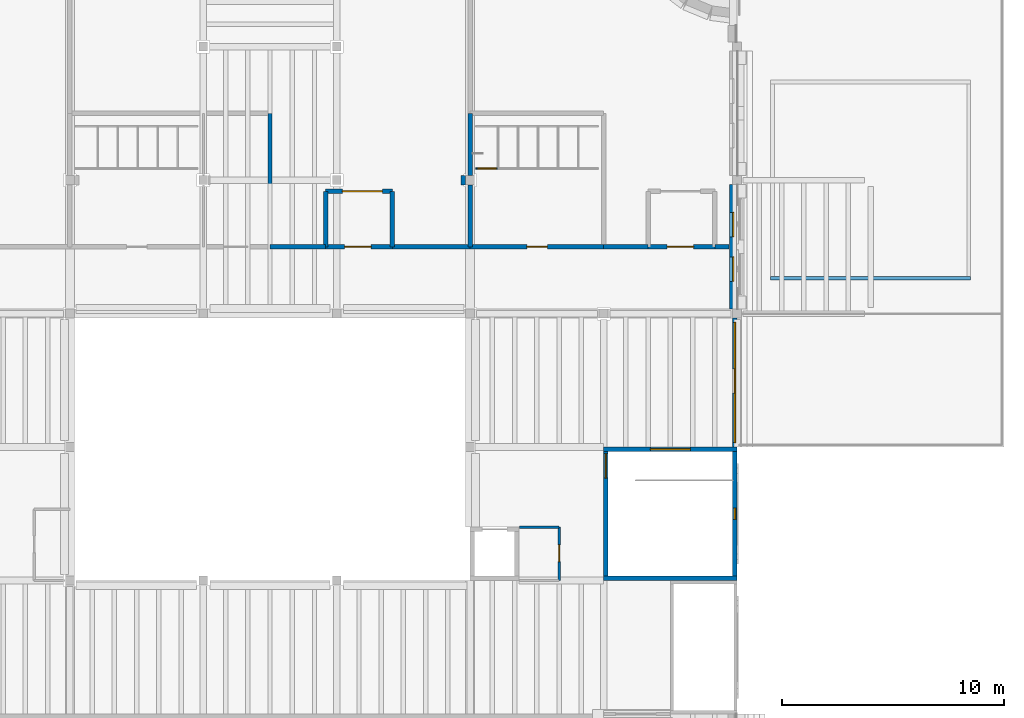
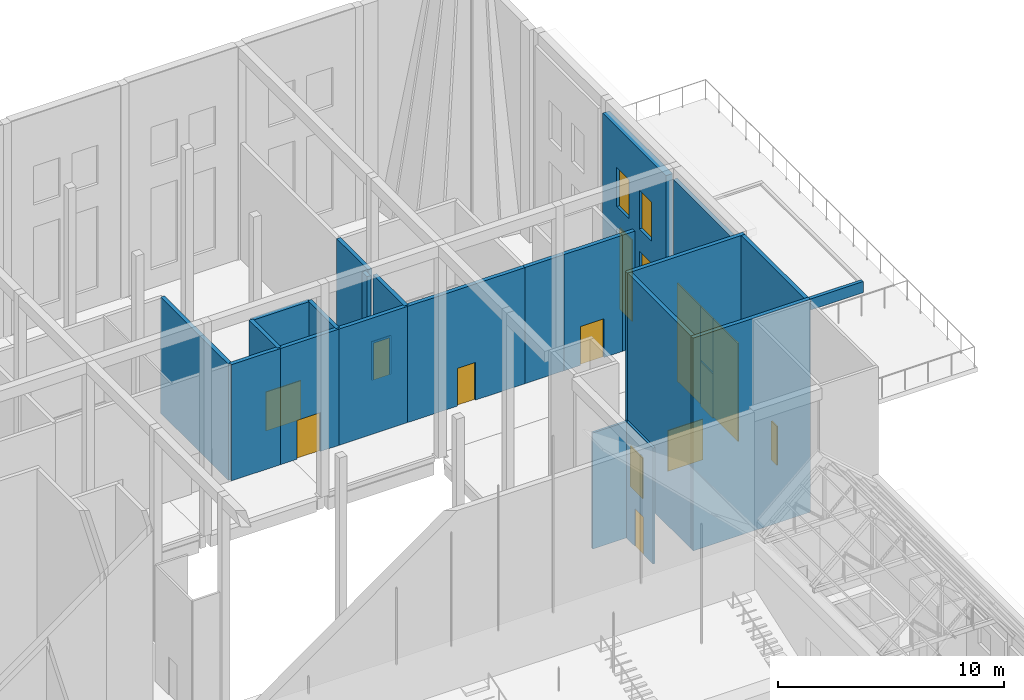
# One storey, part 67 of 118: 24 walls, 9 doors, 8 windows, 17 openings.
"""IFC4 building model written with IfcOpenShell, lengths in metres."""

from ifc_helpers import new_model, si_unit, direction, frame, frame_2d, origin, place, context, subcontext, project, spatial, rectangle, extrude, material, layer, layer_set, type_object, element, fill, save


model = new_model("IFC4")

# Units and contexts
model_context = context("Model", 3, precision=1e-05, world=origin(), true_north=direction((0.0, 1.0)))
body_context = subcontext(model_context, "Body", "Model", "MODEL_VIEW")
ifc_project = project(units=[si_unit("LENGTHUNIT", "METRE"), si_unit("AREAUNIT", "SQUARE_METRE"), si_unit("VOLUMEUNIT", "CUBIC_METRE"), si_unit("PLANEANGLEUNIT", "RADIAN"), si_unit("MASSUNIT", "GRAM", prefix="KILO")], contexts=[model_context])

# Site, building, storey
site_placement = place(None, origin())
site = spatial("IfcSite", under=ifc_project, at=site_placement, CompositionType="ELEMENT")
building_placement = place(site_placement, origin())
building = spatial("IfcBuilding", under=site, at=building_placement, Name="Saffron Lane Theatres", CompositionType="ELEMENT")
storey_placement = place(building_placement, frame((0.0, 0.0, 16.5)))
storey = spatial("IfcBuildingStorey", under=building, at=storey_placement, Name="L03", CompositionType="ELEMENT", Elevation=16.5)

# Wall, openings, door, windows
ifc_material_1 = material(Name="Aluminium", Category="aluminium")
ifc_layer_1 = layer(ifc_material_1, 0.199951171875)
ifc_layer_set_1 = layer_set([ifc_layer_1], Name="Aluminium")
wall_type_1 = type_object("IfcWallType", Name="EX-SCREEN ALUMINIUM 200", PredefinedType="SOLIDWALL", material=ifc_layer_set_1)
wall_1_placement = place(storey_placement, frame((53.89990234375, 107.800048828125, 0.0), z_axis=(0.0, 0.0, 1.0), x_axis=(0.0, -1.0, 0.0)))
wall_1 = element("IfcWall", 1, at=wall_1_placement, inside=storey, type_object=wall_type_1, Name="External wall L03 14", PredefinedType="SOLIDWALL", context=body_context, shape_type="SweptSolid", body=[
    extrude(rectangle(XDim=5.800048828125, YDim=0.199951171875, at=frame_2d((2.89990234375, 0.0))), origin(), (0.0, 0.0, 1.0), 10.89990234375),
])
opening_1_placement = place(wall_1_placement, frame((2.280029296875, 0.0, 0.0)))
opening_1 = element("IfcOpeningElement", 2, at=opening_1_placement, cuts=wall_1, Name="Opening ED03-01", PredefinedType="OPENING", context=body_context, shape_type="SweptSolid", body=[
    extrude(rectangle(XDim=1.10009765625, YDim=2.39990234375, at=frame_2d((0.550048828125, 1.199951171875))), frame((0.0, 0.10986328125, 0.0), z_axis=(0.0, -1.0, 0.0), x_axis=(1.0, 0.0, 0.0)), (0.0, 0.0, 1.0), 0.219970703125),
])
opening_2_placement = place(wall_1_placement, frame((2.280029296875, 0.0, 2.5)))
opening_2 = element("IfcOpeningElement", 3, at=opening_2_placement, cuts=wall_1, Name="Opening WN03-029", PredefinedType="OPENING", context=body_context, shape_type="SweptSolid", body=[
    extrude(rectangle(XDim=1.10009765625, YDim=2.89990234375, at=frame_2d((0.550048828125, 1.449951171875))), frame((0.0, 0.10986328125, 0.0), z_axis=(0.0, -1.0, 0.0), x_axis=(1.0, 0.0, 0.0)), (0.0, 0.0, 1.0), 0.219970703125),
])
opening_3_placement = place(wall_1_placement, frame((0.199951171875, 0.0, 0.10009765625)))
opening_3 = element("IfcOpeningElement", 4, at=opening_3_placement, cuts=wall_1, Name="Opening WN03-030", PredefinedType="OPENING", context=body_context, shape_type="SweptSolid", body=[
    extrude(rectangle(XDim=2.080078125, YDim=5.300048828125, at=frame_2d((1.0400390625, 2.64990234375))), frame((0.0, 0.10986328125, 0.0), z_axis=(0.0, -1.0, 0.0), x_axis=(1.0, 0.0, 0.0)), (0.0, 0.0, 1.0), 0.219970703125),
])
opening_4_placement = place(wall_1_placement, frame((3.3798828125, 0.0, 0.10009765625)))
opening_4 = element("IfcOpeningElement", 5, at=opening_4_placement, cuts=wall_1, Name="Opening WN03-031", PredefinedType="OPENING", context=body_context, shape_type="SweptSolid", body=[
    extrude(rectangle(XDim=2.219970703125, YDim=5.300048828125, at=frame_2d((1.10986328125, 2.64990234375))), frame((0.0, 0.10986328125, 0.0), z_axis=(0.0, -1.0, 0.0), x_axis=(1.0, 0.0, 0.0)), (0.0, 0.0, 1.0), 0.219970703125),
])
ifc_material_2 = material(Name="Aluminium and glass door leaf", Category="aluminium")
door_type_1 = type_object("IfcDoorType", Name="EX-DOOR 1100x2400", OperationType="NOTDEFINED", PredefinedType="DOOR", material=ifc_material_2)
door_1_placement = place(opening_1_placement, origin())
door_1 = element("IfcDoor", 6, at=door_1_placement, inside=storey, type_object=door_type_1, Name="Roof Garden Lobby East door", OperationType="SINGLE_SWING_RIGHT", OverallHeight=2.39990234375, OverallWidth=1.10009765625, PredefinedType="DOOR", context=body_context, shape_type="SweptSolid", body=[
    extrude(rectangle(XDim=1.10009765625, YDim=2.39990234375, at=frame_2d((0.550048828125, 1.199951171875))), frame((0.0, 0.02490234375, 0.0), z_axis=(0.0, -1.0, 0.0), x_axis=(1.0, 0.0, 0.0)), (0.0, 0.0, 1.0), 0.050048828125),
])
fill(opening_1, door_1)
ifc_material_3 = material(Name="Aluminium", Category="aluminium")
window_type_1 = type_object("IfcWindowType", Name="EX-WINDOW 1100x2900", PartitioningType="SINGLE_PANEL", PredefinedType="WINDOW", material=ifc_material_3)
window_1_placement = place(opening_2_placement, origin())
window_1 = element("IfcWindow", 7, at=window_1_placement, inside=storey, type_object=window_type_1, Name="Window L03 029", OverallHeight=2.89990234375, OverallWidth=1.10009765625, PartitioningType="SINGLE_PANEL", PredefinedType="WINDOW", context=body_context, shape_type="SweptSolid", body=[
    extrude(rectangle(XDim=1.10009765625, YDim=2.89990234375, at=frame_2d((0.550048828125, 1.449951171875))), frame((0.0, 0.030029296875, 0.0), z_axis=(0.0, -1.0, 0.0), x_axis=(1.0, 0.0, 0.0)), (0.0, 0.0, 1.0), 0.06005859375),
])
fill(opening_2, window_1)
ifc_material_4 = material(Name="Aluminium", Category="aluminium")
window_type_2 = type_object("IfcWindowType", Name="EX-WINDOW 2080x5300", PartitioningType="SINGLE_PANEL", PredefinedType="WINDOW", material=ifc_material_4)
window_2_placement = place(opening_3_placement, origin())
window_2 = element("IfcWindow", 8, at=window_2_placement, inside=storey, type_object=window_type_2, Name="Window L03 030", OverallHeight=5.300048828125, OverallWidth=2.080078125, PartitioningType="SINGLE_PANEL", PredefinedType="WINDOW", context=body_context, shape_type="SweptSolid", body=[
    extrude(rectangle(XDim=2.080078125, YDim=5.300048828125, at=frame_2d((1.0400390625, 2.64990234375))), frame((0.0, 0.030029296875, 0.0), z_axis=(0.0, -1.0, 0.0), x_axis=(1.0, 0.0, 0.0)), (0.0, 0.0, 1.0), 0.06005859375),
])
fill(opening_3, window_2)
ifc_material_5 = material(Name="Aluminium", Category="aluminium")
window_type_3 = type_object("IfcWindowType", Name="EX-WINDOW 2220x5300", PartitioningType="SINGLE_PANEL", PredefinedType="WINDOW", material=ifc_material_5)
window_3_placement = place(opening_4_placement, origin())
window_3 = element("IfcWindow", 9, at=window_3_placement, inside=storey, type_object=window_type_3, Name="Window L03 031", OverallHeight=5.300048828125, OverallWidth=2.219970703125, PartitioningType="SINGLE_PANEL", PredefinedType="WINDOW", context=body_context, shape_type="SweptSolid", body=[
    extrude(rectangle(XDim=2.219970703125, YDim=5.300048828125, at=frame_2d((1.10986328125, 2.64990234375))), frame((0.0, 0.030029296875, 0.0), z_axis=(0.0, -1.0, 0.0), x_axis=(1.0, 0.0, 0.0)), (0.0, 0.0, 1.0), 0.06005859375),
])
fill(opening_4, window_3)

# Wall, openings, windows
ifc_material_6 = material(Name="Masonry pale clay brick", Category="masonry")
ifc_layer_2 = layer(ifc_material_6, 0.35009765625)
ifc_layer_set_2 = layer_set([ifc_layer_2], Name="Masonry pale clay brick")
wall_type_2 = type_object("IfcWallType", Name="EX-WALL BRICK 350", PredefinedType="SOLIDWALL", material=ifc_layer_set_2)
wall_2_placement = place(storey_placement, frame((53.824951171875, 113.800048828125, 0.0), z_axis=(0.0, 0.0, 1.0), x_axis=(0.0, -1.0, 0.0)))
wall_2 = element("IfcWall", 10, at=wall_2_placement, inside=storey, type_object=wall_type_2, Name="External wall L03 13", PredefinedType="SOLIDWALL", context=body_context, shape_type="SweptSolid", body=[
    extrude(rectangle(XDim=5.60009765625, YDim=0.35009765625, at=frame_2d((2.800048828125, 0.0))), origin(), (0.0, 0.0, 1.0), 10.89990234375),
])
opening_5_placement = place(wall_2_placement, frame((1.25, 0.0, 1.0)))
opening_5 = element("IfcOpeningElement", 11, at=opening_5_placement, cuts=wall_2, Name="Opening WN03-025", PredefinedType="OPENING", context=body_context, shape_type="SweptSolid", body=[
    extrude(rectangle(XDim=1.10009765625, YDim=4.39990234375, at=frame_2d((0.550048828125, 2.199951171875))), frame((0.0, 0.18505859375, 0.0), z_axis=(0.0, -1.0, 0.0), x_axis=(1.0, 0.0, 0.0)), (0.0, 0.0, 1.0), 0.3701171875),
])
opening_6_placement = place(wall_2_placement, frame((3.25, 0.0, 1.0)))
opening_6 = element("IfcOpeningElement", 12, at=opening_6_placement, cuts=wall_2, Name="Opening WN03-026", PredefinedType="OPENING", context=body_context, shape_type="SweptSolid", body=[
    extrude(rectangle(XDim=1.10009765625, YDim=4.39990234375, at=frame_2d((0.550048828125, 2.199951171875))), frame((0.0, 0.18505859375, 0.0), z_axis=(0.0, -1.0, 0.0), x_axis=(1.0, 0.0, 0.0)), (0.0, 0.0, 1.0), 0.3701171875),
])
opening_7_placement = place(wall_2_placement, frame((1.25, 0.0, 6.60009765625)))
opening_7 = element("IfcOpeningElement", 13, at=opening_7_placement, cuts=wall_2, Name="Opening WN03-027", PredefinedType="OPENING", context=body_context, shape_type="SweptSolid", body=[
    extrude(rectangle(XDim=1.10009765625, YDim=2.10009765625, at=frame_2d((0.550048828125, 1.050048828125))), frame((0.0, 0.18505859375, 0.0), z_axis=(0.0, -1.0, 0.0), x_axis=(1.0, 0.0, 0.0)), (0.0, 0.0, 1.0), 0.3701171875),
])
opening_8_placement = place(wall_2_placement, frame((3.25, 0.0, 6.60009765625)))
opening_8 = element("IfcOpeningElement", 14, at=opening_8_placement, cuts=wall_2, Name="Opening WN03-028", PredefinedType="OPENING", context=body_context, shape_type="SweptSolid", body=[
    extrude(rectangle(XDim=1.10009765625, YDim=2.10009765625, at=frame_2d((0.550048828125, 1.050048828125))), frame((0.0, 0.18505859375, 0.0), z_axis=(0.0, -1.0, 0.0), x_axis=(1.0, 0.0, 0.0)), (0.0, 0.0, 1.0), 0.3701171875),
])
ifc_material_7 = material(Name="Aluminium", Category="aluminium")
window_type_4 = type_object("IfcWindowType", Name="EX-WINDOW 1100x2100", PartitioningType="SINGLE_PANEL", PredefinedType="WINDOW", material=ifc_material_7)
window_4_placement = place(opening_7_placement, origin())
window_4 = element("IfcWindow", 15, at=window_4_placement, inside=storey, type_object=window_type_4, Name="Window L03 027", OverallHeight=2.10009765625, OverallWidth=1.10009765625, PartitioningType="SINGLE_PANEL", PredefinedType="WINDOW", context=body_context, shape_type="SweptSolid", body=[
    extrude(rectangle(XDim=1.10009765625, YDim=2.10009765625, at=frame_2d((0.550048828125, 1.050048828125))), frame((0.0, 0.030029296875, 0.0), z_axis=(0.0, -1.0, 0.0), x_axis=(1.0, 0.0, 0.0)), (0.0, 0.0, 1.0), 0.06005859375),
])
fill(opening_7, window_4)
window_5_placement = place(opening_8_placement, origin())
window_5 = element("IfcWindow", 16, at=window_5_placement, inside=storey, type_object=window_type_4, Name="Window L03 028", OverallHeight=2.10009765625, OverallWidth=1.10009765625, PartitioningType="SINGLE_PANEL", PredefinedType="WINDOW", context=body_context, shape_type="SweptSolid", body=[
    extrude(rectangle(XDim=1.10009765625, YDim=2.10009765625, at=frame_2d((0.550048828125, 1.050048828125))), frame((0.0, 0.030029296875, 0.0), z_axis=(0.0, -1.0, 0.0), x_axis=(1.0, 0.0, 0.0)), (0.0, 0.0, 1.0), 0.06005859375),
])
fill(opening_8, window_5)
ifc_material_8 = material(Name="Aluminium", Category="aluminium")
window_type_5 = type_object("IfcWindowType", Name="EX-WINDOW 1100x4400", PartitioningType="SINGLE_PANEL", PredefinedType="WINDOW", material=ifc_material_8)
window_6_placement = place(opening_5_placement, origin())
window_6 = element("IfcWindow", 17, at=window_6_placement, inside=storey, type_object=window_type_5, Name="Window L03 025", OverallHeight=4.39990234375, OverallWidth=1.10009765625, PartitioningType="SINGLE_PANEL", PredefinedType="WINDOW", context=body_context, shape_type="SweptSolid", body=[
    extrude(rectangle(XDim=1.10009765625, YDim=4.39990234375, at=frame_2d((0.550048828125, 2.199951171875))), frame((0.0, 0.030029296875, 0.0), z_axis=(0.0, -1.0, 0.0), x_axis=(1.0, 0.0, 0.0)), (0.0, 0.0, 1.0), 0.06005859375),
])
fill(opening_5, window_6)
window_7_placement = place(opening_6_placement, origin())
window_7 = element("IfcWindow", 18, at=window_7_placement, inside=storey, type_object=window_type_5, Name="Window L03 026", OverallHeight=4.39990234375, OverallWidth=1.10009765625, PartitioningType="SINGLE_PANEL", PredefinedType="WINDOW", context=body_context, shape_type="SweptSolid", body=[
    extrude(rectangle(XDim=1.10009765625, YDim=4.39990234375, at=frame_2d((0.550048828125, 2.199951171875))), frame((0.0, 0.030029296875, 0.0), z_axis=(0.0, -1.0, 0.0), x_axis=(1.0, 0.0, 0.0)), (0.0, 0.0, 1.0), 0.06005859375),
])
fill(opening_6, window_7)

# Walls
ifc_material_9 = material(Name="Acoustic double stud partition")
ifc_layer_3 = layer(ifc_material_9, 0.199951171875)
ifc_layer_set_3 = layer_set([ifc_layer_3], Name="Acoustic double stud partition")
wall_type_3 = type_object("IfcWallType", Name="IN-ACOUSTIC PARTITION 200", PredefinedType="PARTITIONING", material=ifc_layer_set_3)
wall_3_placement = place(storey_placement, frame((33.0, 111.0, 0.0), z_axis=(0.0, 0.0, 1.0), x_axis=(0.0, 1.0, 0.0)))
element("IfcWall", 19, at=wall_3_placement, inside=storey, type_object=wall_type_3, Name="PW-L03-012", PredefinedType="PARTITIONING", context=body_context, shape_type="SweptSolid", body=[
    extrude(rectangle(XDim=6.0, YDim=0.199951171875, at=frame_2d((3.0, 0.0))), origin(), (0.0, 0.0, 1.0), 6.280029296875),
])
wall_4_placement = place(storey_placement, frame((33.0, 111.0, 0.0), z_axis=(0.0, 0.0, 1.0), x_axis=(1.0, 0.0, 0.0)))
element("IfcWall", 20, at=wall_4_placement, inside=storey, type_object=wall_type_3, Name="PW-L03-014", PredefinedType="PARTITIONING", context=body_context, shape_type="SweptSolid", body=[
    extrude(rectangle(XDim=2.5, YDim=0.199951171875, at=frame_2d((1.25, 0.0))), origin(), (0.0, 0.0, 1.0), 6.280029296875),
])

# Wall, opening, door
wall_5_placement = place(storey_placement, frame((35.5, 111.0, 0.0), z_axis=(0.0, 0.0, 1.0), x_axis=(1.0, 0.0, 0.0)))
wall_5 = element("IfcWall", 21, at=wall_5_placement, inside=storey, type_object=wall_type_3, Name="PW-L03-015", PredefinedType="PARTITIONING", context=body_context, shape_type="SweptSolid", body=[
    extrude(rectangle(XDim=3.0, YDim=0.199951171875, at=frame_2d((1.5, 0.0))), origin(), (0.0, 0.0, 1.0), 6.280029296875),
])
opening_9_placement = place(wall_5_placement, frame((0.85009765625, 0.0, 0.0)))
opening_9 = element("IfcOpeningElement", 22, at=opening_9_placement, cuts=wall_5, Name="Opening D03-05", PredefinedType="OPENING", context=body_context, shape_type="SweptSolid", body=[
    extrude(rectangle(XDim=1.199951171875, YDim=2.10009765625, at=frame_2d((0.60009765625, 1.050048828125))), frame((0.0, 0.10986328125, 0.0), z_axis=(0.0, -1.0, 0.0), x_axis=(1.0, 0.0, 0.0)), (0.0, 0.0, 1.0), 0.219970703125),
])
ifc_material_10 = material(Name="Steel faced fire door leaf", Category="steel")
door_type_2 = type_object("IfcDoorType", Name="IN-DOOR 1200x2100 FD60", OperationType="DOUBLE_DOOR_SINGLE_SWING", PredefinedType="DOOR", material=ifc_material_10)
door_2_placement = place(opening_9_placement, origin())
door_2 = element("IfcDoor", 23, at=door_2_placement, inside=storey, type_object=door_type_2, Name="D03-05", OperationType="DOUBLE_DOOR_SINGLE_SWING", OverallHeight=2.10009765625, OverallWidth=1.199951171875, PredefinedType="DOOR", context=body_context, shape_type="SweptSolid", body=[
    extrude(rectangle(XDim=1.199951171875, YDim=2.10009765625, at=frame_2d((0.60009765625, 1.050048828125))), frame((0.0, 0.02490234375, 0.0), z_axis=(0.0, -1.0, 0.0), x_axis=(1.0, 0.0, 0.0)), (0.0, 0.0, 1.0), 0.050048828125),
])
fill(opening_9, door_2)

# Wall
wall_6_placement = place(storey_placement, frame((35.5, 111.0, 0.0), z_axis=(0.0, 0.0, 1.0), x_axis=(0.0, 1.0, 0.0)))
element("IfcWall", 24, at=wall_6_placement, inside=storey, type_object=wall_type_3, Name="PW-L03-016", PredefinedType="PARTITIONING", context=body_context, shape_type="SweptSolid", body=[
    extrude(rectangle(XDim=2.5, YDim=0.199951171875, at=frame_2d((1.25, 0.0))), origin(), (0.0, 0.0, 1.0), 6.280029296875),
])

# Wall, opening, door
wall_7_placement = place(storey_placement, frame((35.5, 113.5, 0.0), z_axis=(0.0, 0.0, 1.0), x_axis=(1.0, 0.0, 0.0)))
wall_7 = element("IfcWall", 25, at=wall_7_placement, inside=storey, type_object=wall_type_3, Name="PW-L03-017", PredefinedType="PARTITIONING", context=body_context, shape_type="SweptSolid", body=[
    extrude(rectangle(XDim=3.0, YDim=0.199951171875, at=frame_2d((1.5, 0.0))), origin(), (0.0, 0.0, 1.0), 6.280029296875),
])
opening_10_placement = place(wall_7_placement, frame((0.75, 0.0, 0.0)))
opening_10 = element("IfcOpeningElement", 26, at=opening_10_placement, cuts=wall_7, Name="Opening D03-06", PredefinedType="OPENING", context=body_context, shape_type="SweptSolid", body=[
    extrude(rectangle(XDim=1.800048828125, YDim=2.10009765625, at=frame_2d((0.89990234375, 1.050048828125))), frame((0.0, 0.10986328125, 0.0), z_axis=(0.0, -1.0, 0.0), x_axis=(1.0, 0.0, 0.0)), (0.0, 0.0, 1.0), 0.219970703125),
])
ifc_material_11 = material(Name="Steel faced fire door leaf", Category="steel")
door_type_3 = type_object("IfcDoorType", Name="IN-DOOR 1800x2100 FD60", OperationType="DOUBLE_DOOR_SINGLE_SWING", PredefinedType="DOOR", material=ifc_material_11)
door_3_placement = place(opening_10_placement, frame((1.800048828125, 0.0, 0.0), z_axis=(0.0, 0.0, 1.0), x_axis=(-1.0, 0.0, 0.0)))
door_3 = element("IfcDoor", 27, at=door_3_placement, inside=storey, type_object=door_type_3, Name="D03-06", OperationType="DOUBLE_DOOR_SINGLE_SWING", OverallHeight=2.10009765625, OverallWidth=1.800048828125, PredefinedType="DOOR", context=body_context, shape_type="SweptSolid", body=[
    extrude(rectangle(XDim=1.800048828125, YDim=2.10009765625, at=frame_2d((0.89990234375, 1.050048828125))), frame((0.0, 0.02490234375, 0.0), z_axis=(0.0, -1.0, 0.0), x_axis=(1.0, 0.0, 0.0)), (0.0, 0.0, 1.0), 0.050048828125),
])
fill(opening_10, door_3)

# Walls
wall_8_placement = place(storey_placement, frame((38.5, 111.0, 0.0), z_axis=(0.0, 0.0, 1.0), x_axis=(0.0, 1.0, 0.0)))
element("IfcWall", 28, at=wall_8_placement, inside=storey, type_object=wall_type_3, Name="PW-L03-018", PredefinedType="PARTITIONING", context=body_context, shape_type="SweptSolid", body=[
    extrude(rectangle(XDim=2.5, YDim=0.199951171875, at=frame_2d((1.25, 0.0))), origin(), (0.0, 0.0, 1.0), 6.280029296875),
])
wall_9_placement = place(storey_placement, frame((38.5, 111.0, 0.0), z_axis=(0.0, 0.0, 1.0), x_axis=(1.0, 0.0, 0.0)))
element("IfcWall", 29, at=wall_9_placement, inside=storey, type_object=wall_type_3, Name="PW-L03-019", PredefinedType="PARTITIONING", context=body_context, shape_type="SweptSolid", body=[
    extrude(rectangle(XDim=3.5, YDim=0.199951171875, at=frame_2d((1.75, 0.0))), origin(), (0.0, 0.0, 1.0), 6.280029296875),
])

# Wall, opening, door
wall_10_placement = place(storey_placement, frame((42.0, 111.0, 0.0), z_axis=(0.0, 0.0, 1.0), x_axis=(1.0, 0.0, 0.0)))
wall_10 = element("IfcWall", 30, at=wall_10_placement, inside=storey, type_object=wall_type_3, Name="PW-L03-020", PredefinedType="PARTITIONING", context=body_context, shape_type="SweptSolid", body=[
    extrude(rectangle(XDim=6.0, YDim=0.199951171875, at=frame_2d((3.0, 0.0))), origin(), (0.0, 0.0, 1.0), 6.280029296875),
])
opening_11_placement = place(wall_10_placement, frame((2.550048828125, 0.0, 0.0)))
opening_11 = element("IfcOpeningElement", 31, at=opening_11_placement, cuts=wall_10, Name="Opening D03-07", PredefinedType="OPENING", context=body_context, shape_type="SweptSolid", body=[
    extrude(rectangle(XDim=0.919921875, YDim=2.0400390625, at=frame_2d((0.4599609375, 1.02001953125))), frame((0.0, 0.10986328125, 0.0), z_axis=(0.0, -1.0, 0.0), x_axis=(1.0, 0.0, 0.0)), (0.0, 0.0, 1.0), 0.219970703125),
])
ifc_material_12 = material(Name="Steel faced fire door leaf", Category="steel")
door_type_4 = type_object("IfcDoorType", Name="IN-DOOR 920x2040 FD60", OperationType="NOTDEFINED", PredefinedType="DOOR", material=ifc_material_12)
door_4_placement = place(opening_11_placement, origin())
door_4 = element("IfcDoor", 32, at=door_4_placement, inside=storey, type_object=door_type_4, Name="D03-07", OperationType="SINGLE_SWING_LEFT", OverallHeight=2.0400390625, OverallWidth=0.919921875, PredefinedType="DOOR", context=body_context, shape_type="SweptSolid", body=[
    extrude(rectangle(XDim=0.919921875, YDim=2.0400390625, at=frame_2d((0.4599609375, 1.02001953125))), frame((0.0, 0.02490234375, 0.0), z_axis=(0.0, -1.0, 0.0), x_axis=(1.0, 0.0, 0.0)), (0.0, 0.0, 1.0), 0.050048828125),
])
fill(opening_11, door_4)

# Walls
for number, where, z_axis, x_axis, name in (
    (33, (42.0, 114.219970703125, 0.0), (0.0, 0.0, 1.0), (0.0, 1.0, 0.0), "PW-L03-021"),
    (34, (42.0, 111.0, 0.0), (0.0, 0.0, 1.0), (0.0, 1.0, 0.0), "PW-L03-022"),
):
    element("IfcWall", number, at=place(storey_placement, frame(where, z_axis=z_axis, x_axis=x_axis)), inside=storey, type_object=wall_type_3, Name=name, PredefinedType="PARTITIONING", context=body_context, shape_type="SweptSolid", body=[
        extrude(rectangle(XDim=2.780029296875, YDim=0.199951171875, at=frame_2d((1.39013671875, 0.0))), origin(), (0.0, 0.0, 1.0), 6.280029296875),
    ])
wall_11_placement = place(storey_placement, frame((41.695068359375, 113.780029296875, 0.0), z_axis=(0.0, 0.0, 1.0), x_axis=(0.0, 1.0, 0.0)))
element("IfcWall", 35, at=wall_11_placement, inside=storey, type_object=wall_type_3, Name="PW-L03-023", PredefinedType="PARTITIONING", context=body_context, shape_type="SweptSolid", body=[
    extrude(rectangle(XDim=0.43994140625, YDim=0.199951171875, at=frame_2d((0.219970703125, 0.0))), origin(), (0.0, 0.0, 1.0), 6.280029296875),
])
wall_12_placement = place(storey_placement, frame((48.0, 111.0, 0.0), z_axis=(0.0, 0.0, 1.0), x_axis=(1.0, 0.0, 0.0)))
element("IfcWall", 36, at=wall_12_placement, inside=storey, type_object=wall_type_3, Name="PW-L03-027", PredefinedType="PARTITIONING", context=body_context, shape_type="SweptSolid", body=[
    extrude(rectangle(XDim=2.0, YDim=0.199951171875, at=frame_2d((1.0, 0.0))), origin(), (0.0, 0.0, 1.0), 6.280029296875),
])

# Wall, opening, door
wall_13_placement = place(storey_placement, frame((50.0, 111.0, 0.0), z_axis=(0.0, 0.0, 1.0), x_axis=(1.0, 0.0, 0.0)))
wall_13 = element("IfcWall", 37, at=wall_13_placement, inside=storey, type_object=wall_type_3, Name="PW-L03-028", PredefinedType="PARTITIONING", context=body_context, shape_type="SweptSolid", body=[
    extrude(rectangle(XDim=3.0, YDim=0.199951171875, at=frame_2d((1.5, 0.0))), origin(), (0.0, 0.0, 1.0), 6.280029296875),
])
opening_12_placement = place(wall_13_placement, frame((0.85009765625, 0.0, 0.0)))
opening_12 = element("IfcOpeningElement", 38, at=opening_12_placement, cuts=wall_13, Name="Opening D03-08", PredefinedType="OPENING", context=body_context, shape_type="SweptSolid", body=[
    extrude(rectangle(XDim=1.199951171875, YDim=2.10009765625, at=frame_2d((0.60009765625, 1.050048828125))), frame((0.0, 0.10986328125, 0.0), z_axis=(0.0, -1.0, 0.0), x_axis=(1.0, 0.0, 0.0)), (0.0, 0.0, 1.0), 0.219970703125),
])
door_5_placement = place(opening_12_placement, origin())
door_5 = element("IfcDoor", 39, at=door_5_placement, inside=storey, type_object=door_type_2, Name="D03-08", OperationType="DOUBLE_DOOR_SINGLE_SWING", OverallHeight=2.10009765625, OverallWidth=1.199951171875, PredefinedType="DOOR", context=body_context, shape_type="SweptSolid", body=[
    extrude(rectangle(XDim=1.199951171875, YDim=2.10009765625, at=frame_2d((0.60009765625, 1.050048828125))), frame((0.0, 0.02490234375, 0.0), z_axis=(0.0, -1.0, 0.0), x_axis=(1.0, 0.0, 0.0)), (0.0, 0.0, 1.0), 0.050048828125),
])
fill(opening_12, door_5)

# Wall
wall_14_placement = place(storey_placement, frame((53.0, 111.0, 0.0), z_axis=(0.0, 0.0, 1.0), x_axis=(1.0, 0.0, 0.0)))
element("IfcWall", 40, at=wall_14_placement, inside=storey, type_object=wall_type_3, Name="PW-L03-032", PredefinedType="PARTITIONING", context=body_context, shape_type="SweptSolid", body=[
    extrude(rectangle(XDim=0.6298828125, YDim=0.199951171875, at=frame_2d((0.31494140625, 0.0))), origin(), (0.0, 0.0, 1.0), 6.280029296875),
])

# Wall, opening, door
ifc_material_13 = material(Name="Masonry block partition", Category="masonry")
ifc_layer_4 = layer(ifc_material_13, 0.110107421875)
ifc_layer_set_4 = layer_set([ifc_layer_4], Name="Masonry block partition")
wall_type_4 = type_object("IfcWallType", Name="IN-BLOCK PARTITION 110", PredefinedType="PARTITIONING", material=ifc_layer_set_4)
wall_15_placement = place(storey_placement, frame((46.0, 96.0, 0.0), z_axis=(0.0, 0.0, 1.0), x_axis=(0.0, 1.0, 0.0)))
wall_15 = element("IfcWall", 41, at=wall_15_placement, inside=storey, type_object=wall_type_4, Name="PW-L03-045", PredefinedType="PARTITIONING", context=body_context, shape_type="SweptSolid", body=[
    extrude(rectangle(XDim=2.39990234375, YDim=0.110107421875, at=frame_2d((1.199951171875, 0.0))), origin(), (0.0, 0.0, 1.0), 6.280029296875),
])
opening_13_placement = place(wall_15_placement, frame((0.85009765625, 0.0, 0.0)))
opening_13 = element("IfcOpeningElement", 42, at=opening_13_placement, cuts=wall_15, Name="Opening D03-23", PredefinedType="OPENING", context=body_context, shape_type="SweptSolid", body=[
    extrude(rectangle(XDim=0.75, YDim=2.0400390625, at=frame_2d((0.375, 1.02001953125))), frame((0.0, 0.06494140625, 0.0), z_axis=(0.0, -1.0, 0.0), x_axis=(1.0, 0.0, 0.0)), (0.0, 0.0, 1.0), 0.130126953125),
])
ifc_material_14 = material(Name="Steel faced fire door leaf", Category="steel")
door_type_5 = type_object("IfcDoorType", Name="IN-DOOR 750x2040 FD60", OperationType="NOTDEFINED", PredefinedType="DOOR", material=ifc_material_14)
door_6_placement = place(opening_13_placement, origin())
door_6 = element("IfcDoor", 43, at=door_6_placement, inside=storey, type_object=door_type_5, Name="D03-23", OperationType="SINGLE_SWING_LEFT", OverallHeight=2.0400390625, OverallWidth=0.75, PredefinedType="DOOR", context=body_context, shape_type="SweptSolid", body=[
    extrude(rectangle(XDim=0.75, YDim=2.0400390625, at=frame_2d((0.375, 1.02001953125))), frame((0.0, 0.02490234375, 0.0), z_axis=(0.0, -1.0, 0.0), x_axis=(1.0, 0.0, 0.0)), (0.0, 0.0, 1.0), 0.050048828125),
])
fill(opening_13, door_6)

# Wall
wall_16_placement = place(storey_placement, frame((44.219970703125, 98.39990234375, 0.0), z_axis=(0.0, 0.0, 1.0), x_axis=(1.0, 0.0, 0.0)))
element("IfcWall", 44, at=wall_16_placement, inside=storey, type_object=wall_type_4, Name="PW-L03-046", PredefinedType="PARTITIONING", context=body_context, shape_type="SweptSolid", body=[
    extrude(rectangle(XDim=1.780029296875, YDim=0.110107421875, at=frame_2d((0.89013671875, 0.0))), origin(), (0.0, 0.0, 1.0), 6.280029296875),
])

# Wall, opening, door
ifc_material_15 = material(Name="Laminate cubicle panel")
ifc_layer_5 = layer(ifc_material_15, 0.050048828125)
ifc_layer_set_5 = layer_set([ifc_layer_5], Name="Laminate cubicle panel")
wall_type_5 = type_object("IfcWallType", Name="IN-CUBICLE PANEL 050", PredefinedType="PARTITIONING", material=ifc_layer_set_5)
wall_17_placement = place(storey_placement, frame((42.25, 114.52490234375, 0.0), z_axis=(0.0, 0.0, 1.0), x_axis=(1.0, 0.0, 0.0)))
wall_17 = element("IfcWall", 45, at=wall_17_placement, inside=storey, type_object=wall_type_5, Name="PW-L03-070", PredefinedType="PARTITIONING", context=body_context, shape_type="SweptSolid", body=[
    extrude(rectangle(XDim=1.0, YDim=0.050048828125, at=frame_2d((0.5, 0.0))), origin(), (0.0, 0.0, 1.0), 2.10009765625),
])
opening_14_placement = place(wall_17_placement, frame((0.090087890625, 0.0, 0.0)))
opening_14 = element("IfcOpeningElement", 46, at=opening_14_placement, cuts=wall_17, Name="Opening D03-38", PredefinedType="OPENING", context=body_context, shape_type="SweptSolid", body=[
    extrude(rectangle(XDim=0.820068359375, YDim=2.0, at=frame_2d((0.41015625, 1.0))), frame((0.0, 0.03515625, 0.0), z_axis=(0.0, -1.0, 0.0), x_axis=(1.0, 0.0, 0.0)), (0.0, 0.0, 1.0), 0.070068359375),
])
ifc_material_16 = material(Name="Timber door leaf", Category="wood")
door_type_6 = type_object("IfcDoorType", Name="IN-DOOR 820x2000", OperationType="NOTDEFINED", PredefinedType="DOOR", material=ifc_material_16)
door_7_placement = place(opening_14_placement, origin())
door_7 = element("IfcDoor", 47, at=door_7_placement, inside=storey, type_object=door_type_6, Name="D03-38", OperationType="SINGLE_SWING_LEFT", OverallHeight=2.0, OverallWidth=0.820068359375, PredefinedType="DOOR", context=body_context, shape_type="SweptSolid", body=[
    extrude(rectangle(XDim=0.820068359375, YDim=2.0, at=frame_2d((0.41015625, 1.0))), frame((0.0, 0.02490234375, 0.0), z_axis=(0.0, -1.0, 0.0), x_axis=(1.0, 0.0, 0.0)), (0.0, 0.0, 1.0), 0.049560546875),
])
fill(opening_14, door_7)

ifc_material_17 = material(Name="Concrete N50 (50 MPa)", Category="concrete")
ifc_layer_6 = layer(ifc_material_17, 0.199951171875)
ifc_layer_set_6 = layer_set([ifc_layer_6], Name="Concrete N50 (50 MPa)")
wall_type_6 = type_object("IfcWallType", Name="RC-CORE 200", PredefinedType="SHEAR", material=ifc_layer_set_6)
wall_18_placement = place(storey_placement, frame((48.0, 101.89990234375, 0.0), z_axis=(0.0, 0.0, 1.0), x_axis=(1.0, 0.0, 0.0)))
wall_18 = element("IfcWall", 48, at=wall_18_placement, inside=storey, type_object=wall_type_6, Name="W-ST2-N-L03", PredefinedType="SHEAR", context=body_context, shape_type="SweptSolid", body=[
    extrude(rectangle(XDim=6.0, YDim=0.199951171875, at=frame_2d((3.0, 0.0))), origin(), (0.0, 0.0, 1.0), 11.5),
])
opening_15_placement = place(wall_18_placement, frame((2.10009765625, 0.0, 0.0)))
opening_15 = element("IfcOpeningElement", 49, at=opening_15_placement, cuts=wall_18, Name="Opening D03-12", PredefinedType="OPENING", context=body_context, shape_type="SweptSolid", body=[
    extrude(rectangle(XDim=1.800048828125, YDim=2.199951171875, at=frame_2d((0.89990234375, 1.10009765625))), frame((0.0, 0.10986328125, 0.0), z_axis=(0.0, -1.0, 0.0), x_axis=(1.0, 0.0, 0.0)), (0.0, 0.0, 1.0), 0.219970703125),
])
ifc_material_18 = material(Name="Steel faced fire door leaf", Category="steel")
door_type_7 = type_object("IfcDoorType", Name="IN-DOOR 1800x2200 FD120", OperationType="DOUBLE_DOOR_SINGLE_SWING", PredefinedType="DOOR", material=ifc_material_18)
door_8_placement = place(opening_15_placement, frame((1.800048828125, 0.0, 0.0), z_axis=(0.0, 0.0, 1.0), x_axis=(-1.0, 0.0, 0.0)))
door_8 = element("IfcDoor", 50, at=door_8_placement, inside=storey, type_object=door_type_7, Name="D03-12", OperationType="DOUBLE_DOOR_SINGLE_SWING", OverallHeight=2.199951171875, OverallWidth=1.800048828125, PredefinedType="DOOR", context=body_context, shape_type="SweptSolid", body=[
    extrude(rectangle(XDim=1.800048828125, YDim=2.199951171875, at=frame_2d((0.89990234375, 1.10009765625))), frame((0.0, 0.02490234375, 0.0), z_axis=(0.0, -1.0, 0.0), x_axis=(1.0, 0.0, 0.0)), (0.0, 0.0, 1.0), 0.050048828125),
])
fill(opening_15, door_8)

# Wall
wall_19_placement = place(storey_placement, frame((48.0, 96.10009765625, 0.0), z_axis=(0.0, 0.0, 1.0), x_axis=(1.0, 0.0, 0.0)))
element("IfcWall", 51, at=wall_19_placement, inside=storey, type_object=wall_type_6, Name="W-ST2-S-L03", PredefinedType="SHEAR", context=body_context, shape_type="SweptSolid", body=[
    extrude(rectangle(XDim=6.0, YDim=0.199951171875, at=frame_2d((3.0, 0.0))), origin(), (0.0, 0.0, 1.0), 11.5),
])

# Wall, opening, door
wall_20_placement = place(storey_placement, frame((48.10009765625, 96.199951171875, 0.0), z_axis=(0.0, 0.0, 1.0), x_axis=(0.0, 1.0, 0.0)))
wall_20 = element("IfcWall", 52, at=wall_20_placement, inside=storey, type_object=wall_type_6, Name="W-ST2-W-L03", PredefinedType="SHEAR", context=body_context, shape_type="SweptSolid", body=[
    extrude(rectangle(XDim=5.60009765625, YDim=0.199951171875, at=frame_2d((2.800048828125, 0.0))), origin(), (0.0, 0.0, 1.0), 11.5),
])
opening_16_placement = place(wall_20_placement, frame((4.39990234375, 0.0, 0.0)))
opening_16 = element("IfcOpeningElement", 53, at=opening_16_placement, cuts=wall_20, Name="Opening D03-13", PredefinedType="OPENING", context=body_context, shape_type="SweptSolid", body=[
    extrude(rectangle(XDim=1.10009765625, YDim=2.199951171875, at=frame_2d((0.550048828125, 1.10009765625))), frame((0.0, 0.10986328125, 0.0), z_axis=(0.0, -1.0, 0.0), x_axis=(1.0, 0.0, 0.0)), (0.0, 0.0, 1.0), 0.219970703125),
])
ifc_material_19 = material(Name="Steel faced fire door leaf", Category="steel")
door_type_8 = type_object("IfcDoorType", Name="IN-DOOR 1100x2200 FD120", OperationType="NOTDEFINED", PredefinedType="DOOR", material=ifc_material_19)
door_9_placement = place(opening_16_placement, frame((1.10009765625, 0.0, 0.0), z_axis=(0.0, 0.0, 1.0), x_axis=(-1.0, 0.0, 0.0)))
door_9 = element("IfcDoor", 54, at=door_9_placement, inside=storey, type_object=door_type_8, Name="D03-13", OperationType="SINGLE_SWING_RIGHT", OverallHeight=2.199951171875, OverallWidth=1.10009765625, PredefinedType="DOOR", context=body_context, shape_type="SweptSolid", body=[
    extrude(rectangle(XDim=1.10009765625, YDim=2.199951171875, at=frame_2d((0.550048828125, 1.10009765625))), frame((0.0, 0.02490234375, 0.0), z_axis=(0.0, -1.0, 0.0), x_axis=(1.0, 0.0, 0.0)), (0.0, 0.0, 1.0), 0.050048828125),
])
fill(opening_16, door_9)

# Wall, opening, window
ifc_material_20 = material(Name="Concrete N50 (50 MPa)", Category="concrete")
ifc_layer_7 = layer(ifc_material_20, 0.199951171875)
ifc_layer_set_7 = layer_set([ifc_layer_7], Name="Concrete N50 (50 MPa)")
wall_type_7 = type_object("IfcWallType", Name="RC-CORE EXTERNAL 200", PredefinedType="SHEAR", material=ifc_layer_set_7)
wall_21_placement = place(storey_placement, frame((53.89990234375, 96.199951171875, 0.0), z_axis=(0.0, 0.0, 1.0), x_axis=(0.0, 1.0, 0.0)))
wall_21 = element("IfcWall", 55, at=wall_21_placement, inside=storey, type_object=wall_type_7, Name="W-ST2-E-L03", PredefinedType="SHEAR", context=body_context, shape_type="SweptSolid", body=[
    extrude(rectangle(XDim=5.60009765625, YDim=0.199951171875, at=frame_2d((2.800048828125, 0.0))), origin(), (0.0, 0.0, 1.0), 11.5),
])
opening_17_placement = place(wall_21_placement, frame((2.550048828125, 0.0, 0.89990234375)))
opening_17 = element("IfcOpeningElement", 56, at=opening_17_placement, cuts=wall_21, Name="Opening WN03-057", PredefinedType="OPENING", context=body_context, shape_type="SweptSolid", body=[
    extrude(rectangle(XDim=0.5, YDim=2.10009765625, at=frame_2d((0.25, 1.050048828125))), frame((0.0, 0.10986328125, 0.0), z_axis=(0.0, -1.0, 0.0), x_axis=(1.0, 0.0, 0.0)), (0.0, 0.0, 1.0), 0.219970703125),
])
ifc_material_21 = material(Name="Aluminium", Category="aluminium")
window_type_6 = type_object("IfcWindowType", Name="EX-WINDOW 500x2100", PartitioningType="SINGLE_PANEL", PredefinedType="WINDOW", material=ifc_material_21)
window_8_placement = place(opening_17_placement, origin())
window_8 = element("IfcWindow", 57, at=window_8_placement, inside=storey, type_object=window_type_6, Name="Stair light ST2 L03", OverallHeight=2.10009765625, OverallWidth=0.5, PartitioningType="SINGLE_PANEL", PredefinedType="WINDOW", context=body_context, shape_type="SweptSolid", body=[
    extrude(rectangle(XDim=0.5, YDim=2.10009765625, at=frame_2d((0.25, 1.050048828125))), frame((0.0, 0.030029296875, 0.0), z_axis=(0.0, -1.0, 0.0), x_axis=(1.0, 0.0, 0.0)), (0.0, 0.0, 1.0), 0.06005859375),
])
fill(opening_17, window_8)

# Wall
ifc_material_22 = material(Name="Concrete N50 (50 MPa)", Category="concrete")
ifc_layer_8 = layer(ifc_material_22, 0.175048828125)
ifc_layer_set_8 = layer_set([ifc_layer_8], Name="Concrete N50 (50 MPa)")
wall_type_8 = type_object("IfcWallType", Name="RC-KERB 175", PredefinedType="SOLIDWALL", material=ifc_layer_set_8)
wall_22_placement = place(storey_placement, frame((55.5, 109.58740234375, 0.0), z_axis=(0.0, 0.0, 1.0), x_axis=(1.0, 0.0, 0.0)))
element("IfcWall", 58, at=wall_22_placement, inside=storey, type_object=wall_type_8, Name="W-KERB-E-S-L03", PredefinedType="SOLIDWALL", context=body_context, shape_type="SweptSolid", body=[
    extrude(rectangle(XDim=9.0, YDim=0.175048828125, at=frame_2d((4.5, 0.0))), origin(), (0.0, 0.0, 1.0), 0.60009765625),
])

save(model, "model.ifc")
